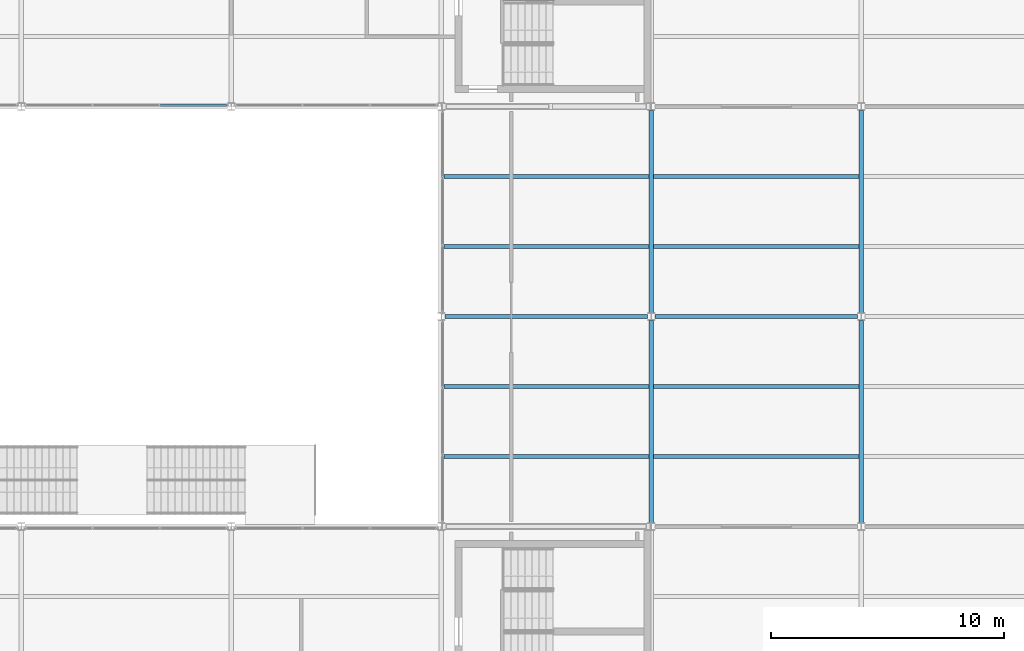
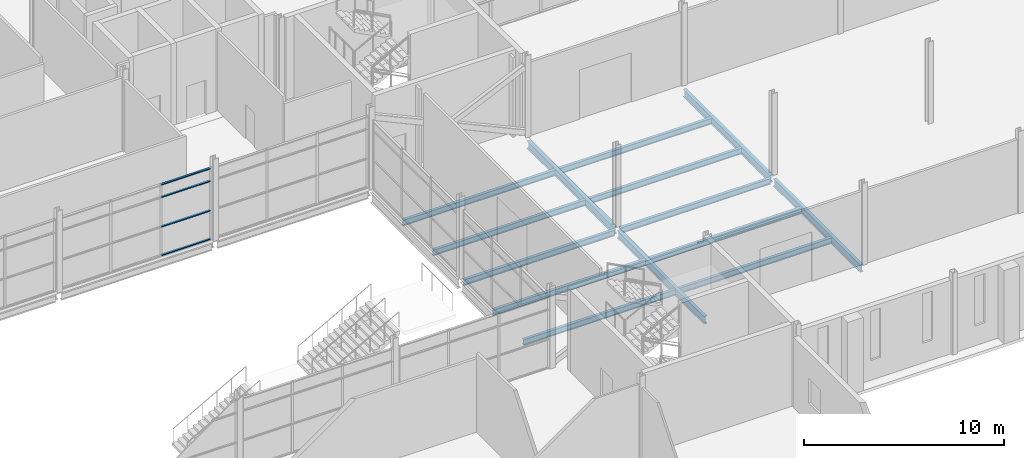
# One storey, part 52 of 112: 14 beams, 4 members, 1 element without a shape of its own.
"""IFC4 building model written with IfcOpenShell, lengths in metres."""

from ifc_helpers import new_model, si_unit, direction, frame, origin, origin_2d, place, context, subcontext, project, spatial, hollow_rectangle, i_section, extrude, material, layer, layer_set, material_profile, profile_set, type_object, element, aggregate, save


model = new_model("IFC4")

# Units and contexts
model_context = context("Model", 3, precision=1e-05, world=origin(), true_north=direction((0.0, 1.0)))
body_context = subcontext(model_context, "Body", "Model", "MODEL_VIEW")
ifc_project = project(units=[si_unit("LENGTHUNIT", "METRE"), si_unit("AREAUNIT", "SQUARE_METRE"), si_unit("VOLUMEUNIT", "CUBIC_METRE"), si_unit("PLANEANGLEUNIT", "RADIAN"), si_unit("MASSUNIT", "GRAM", prefix="KILO")], contexts=[model_context])

# Site, building, storey
site_placement = place(None, origin())
site = spatial("IfcSite", under=ifc_project, at=site_placement, CompositionType="ELEMENT")
building_placement = place(site_placement, origin())
building = spatial("IfcBuilding", under=site, at=building_placement, Name="Shorebreak Coast Museum", CompositionType="ELEMENT")
storey_placement = place(building_placement, frame((0.0, 0.0, 6.0)))
storey = spatial("IfcBuildingStorey", under=building, at=storey_placement, Name="L01", CompositionType="ELEMENT", Elevation=6.0)

# Beams
ifc_material_1 = material(Name="Steel Grade 300", Category="steel")
ifc_material_profile_1 = material_profile(ifc_material_1, i_section(OverallWidth=0.1708984375, OverallDepth=0.355712890625, WebThickness=0.00732421875, FlangeThickness=0.011474609375, FilletRadius=0.011474609375, at=origin_2d()), Name="360UB50.7")
ifc_profile_set_1 = profile_set([ifc_material_profile_1], Name="Steel Grade 300")
beam_type_1 = type_object("IfcBeamType", Name="Floor girder east-west 360UB50.7", PredefinedType="BEAM", material=ifc_profile_set_1)
beam_1_placement = place(storey_placement, frame((117.154541015625, 72.0, -0.352783203125), z_axis=(1.0, 0.0, 0.0), x_axis=(0.0, 1.0, 0.0)))
element("IfcBeam", 1, at=beam_1_placement, inside=storey, type_object=beam_type_1, Name="Floor girder east-west L01 14J", PredefinedType="BEAM", context=body_context, shape_type="SweptSolid", body=[
    extrude(i_section(OverallWidth=0.1708984375, OverallDepth=0.355712890625, WebThickness=0.00732421875, FlangeThickness=0.011474609375, FilletRadius=0.011474609375, at=origin_2d()), origin(), (0.0, 0.0, 1.0), 8.69091796875),
])
ifc_material_2 = material(Name="Steel Grade 300", Category="steel")
ifc_material_profile_2 = material_profile(ifc_material_2, i_section(OverallWidth=0.172119140625, OverallDepth=0.358642578125, WebThickness=0.008056640625, FlangeThickness=0.012939453125, FilletRadius=0.011474609375, at=origin_2d()), Name="360UB56.7")
ifc_profile_set_2 = profile_set([ifc_material_profile_2], Name="Steel Grade 300")
beam_type_2 = type_object("IfcBeamType", Name="Floor girder east-west 360UB56.7", PredefinedType="BEAM", material=ifc_profile_set_2)
beam_2_placement = place(storey_placement, frame((108.155517578125, 72.0, -0.354248046875), z_axis=(1.0, 0.0, 0.0), x_axis=(0.0, 1.0, 0.0)))
element("IfcBeam", 2, at=beam_2_placement, inside=storey, type_object=beam_type_2, Name="Floor girder east-west L01 13J", PredefinedType="BEAM", context=body_context, shape_type="SweptSolid", body=[
    extrude(i_section(OverallWidth=0.172119140625, OverallDepth=0.358642578125, WebThickness=0.008056640625, FlangeThickness=0.012939453125, FilletRadius=0.011474609375, at=origin_2d()), origin(), (0.0, 0.0, 1.0), 8.68994140625),
])
ifc_material_3 = material(Name="Steel Grade 300", Category="steel")
ifc_material_profile_3 = material_profile(ifc_material_3, i_section(OverallWidth=0.19091796875, OverallDepth=0.46044921875, WebThickness=0.010009765625, FlangeThickness=0.01611328125, FilletRadius=0.011474609375, at=origin_2d()), Name="460UB82.1")
ifc_profile_set_3 = profile_set([ifc_material_profile_3], Name="Steel Grade 300")
beam_type_3 = type_object("IfcBeamType", Name="Floor girder north-south 460UB82.1", PredefinedType="BEAM", material=ifc_profile_set_3)
for number, where, z_axis, x_axis, name in (
    (3, (117.0, 63.160400390625, -0.4052734375), (0.0, 1.0, 0.0), (-1.0, 0.0, 0.0), "Floor girder north-south L01 14H"),
    (4, (126.0, 63.160400390625, -0.4052734375), (0.0, 1.0, 0.0), (-1.0, 0.0, 0.0), "Floor girder north-south L01 15H"),
    (5, (117.0, 72.160400390625, -0.4052734375), (0.0, 1.0, 0.0), (-1.0, 0.0, 0.0), "Floor girder north-south L01 14J"),
    (6, (126.0, 72.160400390625, -0.4052734375), (0.0, 1.0, 0.0), (-1.0, 0.0, 0.0), "Floor girder north-south L01 15J"),
):
    element("IfcBeam", number, at=place(storey_placement, frame(where, z_axis=z_axis, x_axis=x_axis)), inside=storey, type_object=beam_type_3, Name=name, PredefinedType="BEAM", context=body_context, shape_type="SweptSolid", body=[
        extrude(i_section(OverallWidth=0.19091796875, OverallDepth=0.46044921875, WebThickness=0.010009765625, FlangeThickness=0.01611328125, FilletRadius=0.011474609375, at=origin_2d()), origin(), (0.0, 0.0, 1.0), 8.67919921875),
    ])
ifc_material_4 = material(Name="Steel Grade 300", Category="steel")
ifc_material_profile_4 = material_profile(ifc_material_4, i_section(OverallWidth=0.1708984375, OverallDepth=0.35205078125, WebThickness=0.0068359375, FlangeThickness=0.009765625, FilletRadius=0.011474609375, at=origin_2d()), Name="360UB44.7")
ifc_profile_set_4 = profile_set([ifc_material_profile_4], Name="Steel Grade 300")
beam_type_4 = type_object("IfcBeamType", Name="Floor joist 360UB44.7", PredefinedType="JOIST", material=ifc_profile_set_4)
for number, where, z_axis, x_axis, name in (
    (7, (108.114013671875, 66.0, -0.35107421875), (1.0, 0.0, 0.0), (0.0, 1.0, 0.0), "Floor joist L01 bay 13H at 3000 mm"),
    (8, (108.114013671875, 69.0, -0.35107421875), (1.0, 0.0, 0.0), (0.0, 1.0, 0.0), "Floor joist L01 bay 13H at 6000 mm"),
    (9, (108.114013671875, 75.0, -0.35107421875), (1.0, 0.0, 0.0), (0.0, 1.0, 0.0), "Floor joist L01 bay 13J at 3000 mm"),
    (10, (108.114013671875, 78.0, -0.35107421875), (1.0, 0.0, 0.0), (0.0, 1.0, 0.0), "Floor joist L01 bay 13J at 6000 mm"),
):
    element("IfcBeam", number, at=place(storey_placement, frame(where, z_axis=z_axis, x_axis=x_axis)), inside=storey, type_object=beam_type_4, Name=name, PredefinedType="JOIST", context=body_context, shape_type="SweptSolid", body=[
        extrude(i_section(OverallWidth=0.1708984375, OverallDepth=0.35205078125, WebThickness=0.0068359375, FlangeThickness=0.009765625, FilletRadius=0.011474609375, at=origin_2d()), origin(), (0.0, 0.0, 1.0), 8.79052734375),
    ])
ifc_material_5 = material(Name="Steel Grade 300", Category="steel")
ifc_material_profile_5 = material_profile(ifc_material_5, i_section(OverallWidth=0.1708984375, OverallDepth=0.355712890625, WebThickness=0.00732421875, FlangeThickness=0.011474609375, FilletRadius=0.011474609375, at=origin_2d()), Name="360UB50.7")
ifc_profile_set_5 = profile_set([ifc_material_profile_5], Name="Steel Grade 300")
beam_type_5 = type_object("IfcBeamType", Name="Floor joist 360UB50.7", PredefinedType="JOIST", material=ifc_profile_set_5)
for number, where, z_axis, x_axis, name in (
    (11, (117.095458984375, 66.0, -0.352783203125), (1.0, 0.0, 0.0), (0.0, 1.0, 0.0), "Floor joist L01 bay 14H at 3000 mm"),
    (12, (117.095458984375, 69.0, -0.352783203125), (1.0, 0.0, 0.0), (0.0, 1.0, 0.0), "Floor joist L01 bay 14H at 6000 mm"),
    (13, (117.095458984375, 75.0, -0.352783203125), (1.0, 0.0, 0.0), (0.0, 1.0, 0.0), "Floor joist L01 bay 14J at 3000 mm"),
    (14, (117.095458984375, 78.0, -0.352783203125), (1.0, 0.0, 0.0), (0.0, 1.0, 0.0), "Floor joist L01 bay 14J at 6000 mm"),
):
    element("IfcBeam", number, at=place(storey_placement, frame(where, z_axis=z_axis, x_axis=x_axis)), inside=storey, type_object=beam_type_5, Name=name, PredefinedType="JOIST", context=body_context, shape_type="SweptSolid", body=[
        extrude(i_section(OverallWidth=0.1708984375, OverallDepth=0.355712890625, WebThickness=0.00732421875, FlangeThickness=0.011474609375, FilletRadius=0.011474609375, at=origin_2d()), origin(), (0.0, 0.0, 1.0), 8.80908203125),
    ])

# Curtain wall, members
ifc_material_6 = material(Name="Aluminium", Category="aluminium")
ifc_layer = layer(ifc_material_6, 0.1201171875)
ifc_layer_set = layer_set([ifc_layer], Name="Aluminium")
curtain_wall_type = type_object("IfcCurtainWallType", Name="Atrium fire screen", PredefinedType="NOTDEFINED", material=ifc_layer_set)
curtain_wall_placement = place(storey_placement, origin())
curtain_wall = element("IfcCurtainWall", 15, at=curtain_wall_placement, inside=storey, type_object=curtain_wall_type, Name="Atrium screen L01 N 10", PredefinedType="NOTDEFINED")
ifc_material_7 = material(Name="Aluminium", Category="aluminium")
ifc_material_profile_6 = material_profile(ifc_material_7, hollow_rectangle(XDim=0.1201171875, YDim=0.06005859375, WallThickness=0.00341796875, at=origin_2d()), Name="AL 60x120 RHS")
ifc_profile_set_6 = profile_set([ifc_material_profile_6], Name="Aluminium")
member_type = type_object("IfcMemberType", Name="Screen transom 120 x 50", PredefinedType="USERDEFINED", material=ifc_profile_set_6)
member_1_placement = place(storey_placement, frame((95.97314453125, 81.06005859375, 0.06005859375), z_axis=(1.0, 0.0, 0.0), x_axis=(0.0, 1.0, 0.0)))
member_1 = element("IfcMember", 16, at=member_1_placement, type_object=member_type, Name="CW5 transom 3.1", ObjectType="TRANSOM", PredefinedType="USERDEFINED", context=body_context, shape_type="SweptSolid", body=[
    extrude(hollow_rectangle(XDim=0.1201171875, YDim=0.06005859375, WallThickness=0.00341796875, at=origin_2d()), origin(), (0.0, 0.0, 1.0), 2.8212890625),
])
member_2_placement = place(storey_placement, frame((95.97314453125, 81.06005859375, 1.800048828125), z_axis=(1.0, 0.0, 0.0), x_axis=(0.0, 1.0, 0.0)))
member_2 = element("IfcMember", 17, at=member_2_placement, type_object=member_type, Name="CW5 transom 3.2", ObjectType="TRANSOM", PredefinedType="USERDEFINED", context=body_context, shape_type="SweptSolid", body=[
    extrude(hollow_rectangle(XDim=0.1201171875, YDim=0.06005859375, WallThickness=0.00341796875, at=origin_2d()), origin(), (0.0, 0.0, 1.0), 2.8212890625),
])
member_3_placement = place(storey_placement, frame((95.97314453125, 81.06005859375, 3.60009765625), z_axis=(1.0, 0.0, 0.0), x_axis=(0.0, 1.0, 0.0)))
member_3 = element("IfcMember", 18, at=member_3_placement, type_object=member_type, Name="CW5 transom 3.3", ObjectType="TRANSOM", PredefinedType="USERDEFINED", context=body_context, shape_type="SweptSolid", body=[
    extrude(hollow_rectangle(XDim=0.1201171875, YDim=0.06005859375, WallThickness=0.00341796875, at=origin_2d()), origin(), (0.0, 0.0, 1.0), 2.8212890625),
])
member_4_placement = place(storey_placement, frame((95.97314453125, 81.06005859375, 4.3623046875), z_axis=(1.0, 0.0, 0.0), x_axis=(0.0, 1.0, 0.0)))
member_4 = element("IfcMember", 19, at=member_4_placement, type_object=member_type, Name="CW5 transom 3.4", ObjectType="TRANSOM", PredefinedType="USERDEFINED", context=body_context, shape_type="SweptSolid", body=[
    extrude(hollow_rectangle(XDim=0.1201171875, YDim=0.06005859375, WallThickness=0.00341796875, at=origin_2d()), origin(), (0.0, 0.0, 1.0), 2.8212890625),
])
aggregate(curtain_wall, [member_1, member_2, member_3, member_4])

save(model, "model.ifc")
